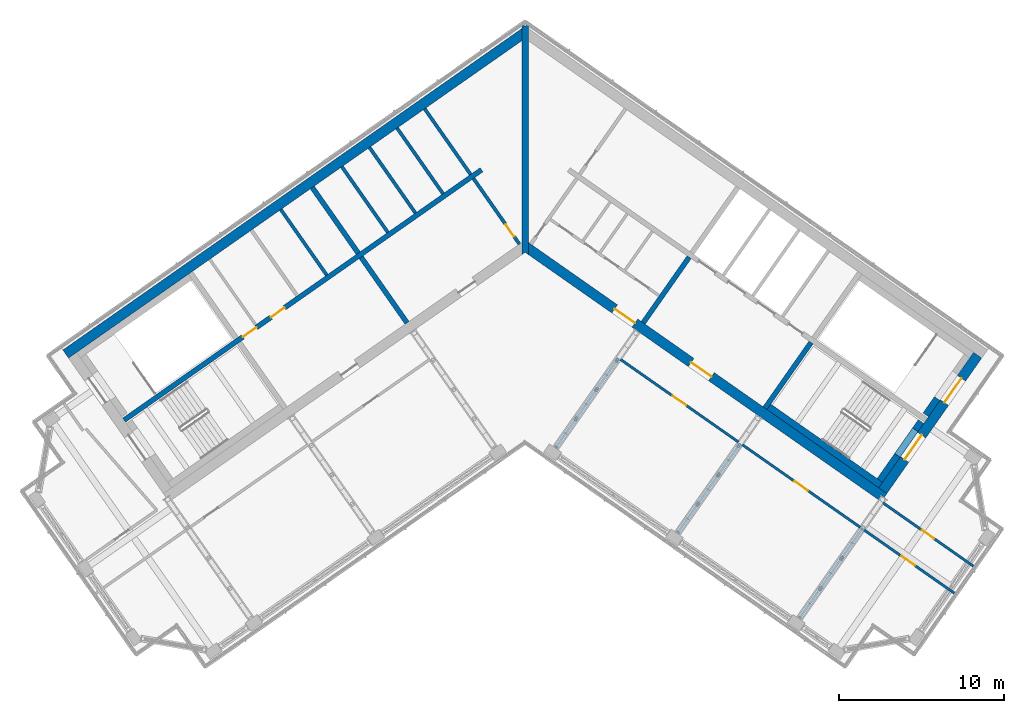
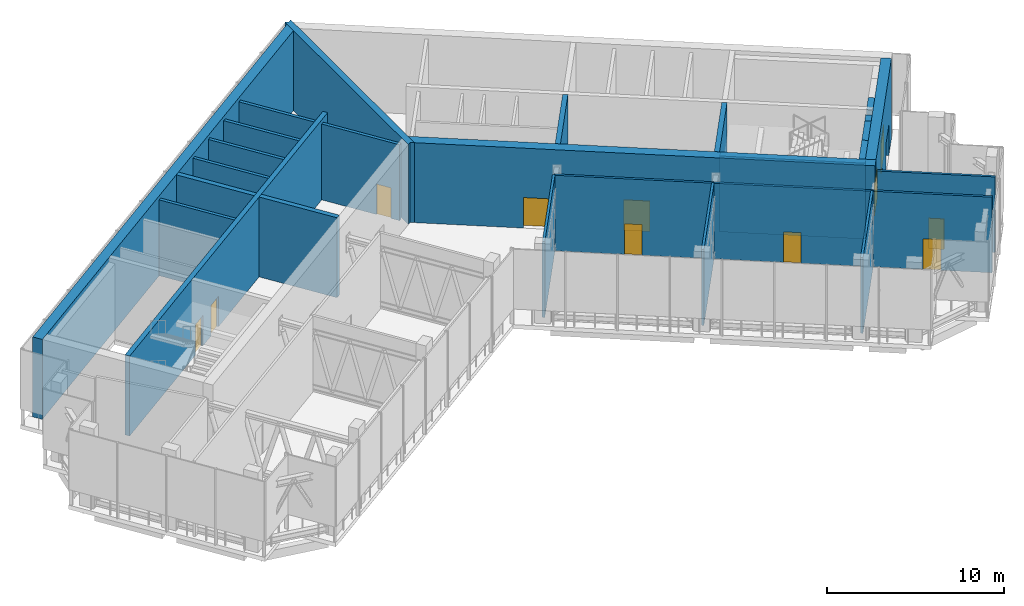
# One storey, part 4 of 16: 27 walls, 11 doors, 11 openings.
"""IFC4 building model written with IfcOpenShell, lengths in metres."""

from ifc_helpers import new_model, si_unit, direction, frame, frame_2d, origin, place, context, subcontext, project, spatial, polyline, rectangle, outline, extrude, material, layer, layer_set, type_object, element, fill, save


model = new_model("IFC4")

# Units and contexts
model_context = context("Model", 3, precision=1e-05, world=origin(), true_north=direction((0.0, 1.0)))
body_context = subcontext(model_context, "Body", "Model", "MODEL_VIEW")
ifc_project = project(units=[si_unit("LENGTHUNIT", "METRE"), si_unit("AREAUNIT", "SQUARE_METRE"), si_unit("VOLUMEUNIT", "CUBIC_METRE"), si_unit("PLANEANGLEUNIT", "RADIAN"), si_unit("MASSUNIT", "GRAM", prefix="KILO")], contexts=[model_context])

# Site, building, storey
site_placement = place(None, origin())
site = spatial("IfcSite", under=ifc_project, at=site_placement, CompositionType="ELEMENT")
building_placement = place(site_placement, origin())
building = spatial("IfcBuilding", under=site, at=building_placement, Name="Tel Ilan Convention Tower", CompositionType="ELEMENT")
storey_placement = place(building_placement, frame((0.0, 0.0, 313.300048828125)))
storey = spatial("IfcBuildingStorey", under=building, at=storey_placement, Name="L74", CompositionType="ELEMENT", Elevation=313.300048828125)

# Wall, opening, door
ifc_material_1 = material(Name="Concrete C30/37", Category="concrete")
ifc_layer_1 = layer(ifc_material_1, 0.199951171875)
ifc_layer_set_1 = layer_set([ifc_layer_1], Name="Core Service Room Wall 200 mm C30/37")
wall_type_1 = type_object("IfcWallType", Name="Core Service Room Wall 200 mm C30/37", PredefinedType="SOLIDWALL", material=ifc_layer_set_1)
wall_1_placement = place(storey_placement, frame((-0.343994140625, -0.729248046875, 0.0), z_axis=(0.0, 0.0, 1.0), x_axis=(-0.573560315113, 0.819163332265, 0.0)))
wall_1 = element("IfcWall", 1, at=wall_1_placement, inside=storey, type_object=wall_type_1, Name="L74 core wall apex-W", PredefinedType="SOLIDWALL", context=body_context, shape_type="SweptSolid", body=[
    extrude(rectangle(XDim=4.849853515625, YDim=0.199951171875, at=frame_2d((2.4248046875, 0.0))), origin(), (0.0, 0.0, 1.0), 5.219970703125),
])
opening_1_placement = place(wall_1_placement, frame((0.550048828125, 0.0, 0.0)))
opening_1 = element("IfcOpeningElement", 2, at=opening_1_placement, cuts=wall_1, Name="Opening CD5602", PredefinedType="OPENING", context=body_context, shape_type="SweptSolid", body=[
    extrude(rectangle(XDim=0.89990234375, YDim=2.10009765625, at=frame_2d((0.449951171875, 1.050048828125))), frame((0.0, 0.10986328125, 0.0), z_axis=(0.0, -1.0, 0.0), x_axis=(1.0, 0.0, 0.0)), (0.0, 0.0, 1.0), 0.219970703125),
])
ifc_material_2 = material(Name="Galvanised Steel Door Leaf", Category="steel")
door_type_1 = type_object("IfcDoorType", Name="Service Room Door 900 x 2100 FD60", OperationType="NOTDEFINED", PredefinedType="DOOR", material=ifc_material_2)
door_1_placement = place(opening_1_placement, origin())
door_1 = element("IfcDoor", 3, at=door_1_placement, inside=storey, type_object=door_type_1, Name="Riser Room door", OperationType="SINGLE_SWING_RIGHT", OverallHeight=2.10009765625, OverallWidth=0.89990234375, PredefinedType="DOOR", context=body_context, shape_type="SweptSolid", body=[
    extrude(rectangle(XDim=0.89990234375, YDim=2.10009765625, at=frame_2d((0.449951171875, 1.050048828125))), frame((0.0, 0.02490234375, 0.0), z_axis=(0.0, -1.0, 0.0), x_axis=(1.0, 0.0, 0.0)), (0.0, 0.0, 1.0), 0.050048828125),
])
fill(opening_1, door_1)

# Walls
wall_2_placement = place(storey_placement, frame((-3.2978515625, 3.489501953125, 0.0), z_axis=(0.0, 0.0, 1.0), x_axis=(-0.573560315113, 0.819163332265, 0.0)))
element("IfcWall", 4, at=wall_2_placement, inside=storey, type_object=wall_type_1, Name="L74 core wall apex-W-b", PredefinedType="SOLIDWALL", context=body_context, shape_type="SweptSolid", body=[
    extrude(rectangle(XDim=4.849853515625, YDim=0.199951171875, at=frame_2d((2.4248046875, 0.0))), origin(), (0.0, 0.0, 1.0), 5.219970703125),
])
ifc_material_3 = material(Name="Concrete C40/50", Category="concrete")
ifc_layer_2 = layer(ifc_material_3, 0.300048828125)
ifc_layer_set_2 = layer_set([ifc_layer_2], Name="Core Shear Wall 300 mm C40/50")
wall_type_2 = type_object("IfcWallType", Name="Core Shear Wall 300 mm C40/50", PredefinedType="SHEAR", material=ifc_layer_set_2)
wall_3_placement = place(storey_placement, frame((-7.142822265625, -5.48974609375, 0.0), z_axis=(0.0, 0.0, 1.0), x_axis=(-0.573617744349, 0.819123118565, 0.0)))
element("IfcWall", 5, at=wall_3_placement, inside=storey, type_object=wall_type_2, Name="L74 core wall W-cross1-1", PredefinedType="SHEAR", context=body_context, shape_type="SweptSolid", body=[
    extrude(outline(polyline([(4.85009765625, 0.14990234375), (0.0, 0.150146484375), (0.0, -0.14990234375), (4.85009765625, -0.150146484375), (4.85009765625, 0.14990234375)])), origin(), (0.0, 0.0, 1.0), 5.5),
])
wall_4_placement = place(storey_placement, frame((-10.096923828125, -1.271240234375, 0.0), z_axis=(0.0, 0.0, 1.0), x_axis=(-0.573560315113, 0.819163332265, 0.0)))
element("IfcWall", 6, at=wall_4_placement, inside=storey, type_object=wall_type_2, Name="L74 core wall W-cross1-2", PredefinedType="SHEAR", context=body_context, shape_type="SweptSolid", body=[
    extrude(outline(polyline([(4.849853515625, -0.14990234375), (4.849853515625, 0.150146484375), (0.0, 0.14990234375), (0.0, -0.150146484375), (4.849853515625, -0.14990234375)])), origin(), (0.0, 0.0, 1.0), 5.5),
])

# Wall, openings, doors
wall_5_placement = place(storey_placement, frame((-2.638427734375, 3.76806640625, 0.0), z_axis=(0.0, 0.0, 1.0), x_axis=(-0.819155014212, -0.573572194837, 0.0)))
wall_5 = element("IfcWall", 7, at=wall_5_placement, inside=storey, type_object=wall_type_2, Name="L74 core wall W-spine", PredefinedType="SHEAR", context=body_context, shape_type="SweptSolid", body=[
    extrude(outline(polyline([(26.39990234375, 0.150146484375), (0.0, 0.14990234375), (0.0, -0.150146484375), (26.39990234375, -0.14990234375), (26.39990234375, 0.150146484375)])), origin(), (0.0, 0.0, 1.0), 5.5),
])
opening_2_placement = place(wall_5_placement, frame((14.552490234375, 0.0, 0.0)))
opening_2 = element("IfcOpeningElement", 8, at=opening_2_placement, cuts=wall_5, Name="Opening CD5609", PredefinedType="OPENING", context=body_context, shape_type="SweptSolid", body=[
    extrude(rectangle(XDim=1.0, YDim=2.10009765625, at=frame_2d((0.5, 1.050048828125))), frame((0.0, 0.159912109375, 0.0), z_axis=(0.0, -1.0, 0.0), x_axis=(1.0, 0.0, 0.0)), (0.0, 0.0, 1.0), 0.320068359375),
])
opening_3_placement = place(wall_5_placement, frame((16.62744140625, 0.0, 0.0)))
opening_3 = element("IfcOpeningElement", 9, at=opening_3_placement, cuts=wall_5, Name="Opening CD5610", PredefinedType="OPENING", context=body_context, shape_type="SweptSolid", body=[
    extrude(rectangle(XDim=1.0, YDim=2.10009765625, at=frame_2d((0.5, 1.050048828125))), frame((0.0, 0.159912109375, 0.0), z_axis=(0.0, -1.0, 0.0), x_axis=(1.0, 0.0, 0.0)), (0.0, 0.0, 1.0), 0.320068359375),
])
ifc_material_4 = material(Name="Galvanised Steel Door Leaf", Category="steel")
door_type_2 = type_object("IfcDoorType", Name="Service Room Door 1000 x 2100 FD60", OperationType="NOTDEFINED", PredefinedType="DOOR", material=ifc_material_4)
door_2_placement = place(opening_2_placement, origin())
door_2 = element("IfcDoor", 10, at=door_2_placement, inside=storey, type_object=door_type_2, Name="Plant Room door", OperationType="SINGLE_SWING_RIGHT", OverallHeight=2.10009765625, OverallWidth=1.0, PredefinedType="DOOR", context=body_context, shape_type="SweptSolid", body=[
    extrude(rectangle(XDim=1.0, YDim=2.10009765625, at=frame_2d((0.5, 1.050048828125))), frame((0.0, 0.02490234375, 0.0), z_axis=(0.0, -1.0, 0.0), x_axis=(1.0, 0.0, 0.0)), (0.0, 0.0, 1.0), 0.050048828125),
])
fill(opening_2, door_2)
door_3_placement = place(opening_3_placement, origin())
door_3 = element("IfcDoor", 11, at=door_3_placement, inside=storey, type_object=door_type_2, Name="Plant Room door", OperationType="SINGLE_SWING_RIGHT", OverallHeight=2.10009765625, OverallWidth=1.0, PredefinedType="DOOR", context=body_context, shape_type="SweptSolid", body=[
    extrude(rectangle(XDim=1.0, YDim=2.10009765625, at=frame_2d((0.5, 1.050048828125))), frame((0.0, 0.02490234375, 0.0), z_axis=(0.0, -1.0, 0.0), x_axis=(1.0, 0.0, 0.0)), (0.0, 0.0, 1.0), 0.050048828125),
])
fill(opening_3, door_3)

# Walls
wall_6_placement = place(storey_placement, frame((7.142822265625, -5.48974609375, 0.0), z_axis=(0.0, 0.0, 1.0), x_axis=(0.573617744349, 0.819123118565, 0.0)))
element("IfcWall", 12, at=wall_6_placement, inside=storey, type_object=wall_type_2, Name="L74 core wall E-cross1-1", PredefinedType="SHEAR", context=body_context, shape_type="SweptSolid", body=[
    extrude(outline(polyline([(0.0, 0.14990234375), (0.0, -0.150146484375), (4.85009765625, -0.14990234375), (4.85009765625, 0.150146484375), (0.0, 0.14990234375)])), origin(), (0.0, 0.0, 1.0), 5.5),
])
wall_7_placement = place(storey_placement, frame((14.515380859375, -10.652099609375, 0.0), z_axis=(0.0, 0.0, 1.0), x_axis=(0.573560315113, 0.819163332265, 0.0)))
element("IfcWall", 13, at=wall_7_placement, inside=storey, type_object=wall_type_2, Name="L74 core wall E-cross2-1", PredefinedType="SHEAR", context=body_context, shape_type="SweptSolid", body=[
    extrude(outline(polyline([(0.0, 0.150146484375), (0.0, -0.14990234375), (4.85009765625, -0.14990234375), (4.85009765625, 0.14990234375), (0.0, 0.150146484375)])), origin(), (0.0, 0.0, 1.0), 5.5),
])
ifc_material_5 = material(Name="Concrete C40/50", Category="concrete")
ifc_layer_3 = layer(ifc_material_5, 0.39990234375)
ifc_layer_set_3 = layer_set([ifc_layer_3], Name="Core Shear Wall 400 mm C40/50")
wall_type_3 = type_object("IfcWallType", Name="Core Shear Wall 400 mm C40/50", PredefinedType="SHEAR", material=ifc_layer_set_3)
wall_8_placement = place(storey_placement, frame((0.0, -1.36083984375, 0.0), z_axis=(0.0, 0.0, 1.0), x_axis=(0.0, 1.0, 0.0)))
element("IfcWall", 14, at=wall_8_placement, inside=storey, type_object=wall_type_3, Name="L74 core wall K-central", PredefinedType="SHEAR", context=body_context, shape_type="SweptSolid", body=[
    extrude(outline(polyline([(0.14013671875, 0.199951171875), (0.0, 0.199951171875), (0.14013671875, 0.0), (0.0, -0.199951171875), (0.14013671875, -0.199951171875), (1.012451171875, -0.199951171875), (12.940185546875, -0.199951171875), (13.812744140625, -0.199951171875), (13.893310546875, -0.199951171875), (13.933349609375, -0.172119140625), (13.812744140625, 0.0), (13.933349609375, 0.172119140625), (13.893310546875, 0.199951171875), (13.812744140625, 0.199951171875), (12.940185546875, 0.199951171875), (1.012451171875, 0.199951171875), (0.14013671875, 0.199951171875)])), origin(), (0.0, 0.0, 1.0), 5.5),
])
ifc_material_6 = material(Name="Concrete C40/50", Category="concrete")
ifc_layer_4 = layer(ifc_material_6, 0.60009765625)
ifc_layer_set_4 = layer_set([ifc_layer_4], Name="Core Shear Wall 600 mm C40/50")
wall_type_4 = type_object("IfcWallType", Name="Core Shear Wall 600 mm C40/50", PredefinedType="SHEAR", material=ifc_layer_set_4)
wall_9_placement = place(storey_placement, frame((-0.02783203125, 12.066162109375, 0.0), z_axis=(0.0, 0.0, 1.0), x_axis=(-0.819151382952, -0.573577380837, 0.0)))
element("IfcWall", 15, at=wall_9_placement, inside=storey, type_object=wall_type_4, Name="L74 core wall W-back", PredefinedType="SHEAR", context=body_context, shape_type="SweptSolid", body=[
    extrude(outline(polyline([(33.89794921875, 0.300048828125), (0.420166015625, 0.300048828125), (0.0, -0.300048828125), (33.898193359375, -0.300048828125), (33.89794921875, 0.300048828125)])), origin(), (0.0, 0.0, 1.0), 5.5),
])

# Wall, openings, doors
wall_10_placement = place(storey_placement, frame((0.02783203125, -0.8740234375, 0.0), z_axis=(0.0, 0.0, 1.0), x_axis=(0.819150035022, -0.573579305871, 0.0)))
wall_10 = element("IfcWall", 16, at=wall_10_placement, inside=storey, type_object=wall_type_4, Name="L74 core wall E-front", PredefinedType="SHEAR", context=body_context, shape_type="SweptSolid", body=[
    extrude(outline(polyline([(26.475830078125, 0.300048828125), (0.000244140625, 0.300048828125), (0.420166015625, -0.300048828125), (26.475830078125, -0.2998046875), (26.475830078125, 0.300048828125)])), origin(), (0.0, 0.0, 1.0), 5.5),
])
opening_4_placement = place(wall_10_placement, frame((6.57568359375, 0.0, 0.0)))
opening_4 = element("IfcOpeningElement", 17, at=opening_4_placement, cuts=wall_10, Name="Opening CD5604", PredefinedType="OPENING", context=body_context, shape_type="SweptSolid", body=[
    extrude(rectangle(XDim=1.5, YDim=2.10009765625, at=frame_2d((0.75, 1.050048828125))), frame((0.0, 0.31005859375, 0.0), z_axis=(0.0, -1.0, 0.0), x_axis=(1.0, 0.0, 0.0)), (0.0, 0.0, 1.0), 0.6201171875),
])
opening_5_placement = place(wall_10_placement, frame((12.225830078125, 0.0, 0.0)))
opening_5 = element("IfcOpeningElement", 18, at=opening_5_placement, cuts=wall_10, Name="Opening CD5605", PredefinedType="OPENING", context=body_context, shape_type="SweptSolid", body=[
    extrude(rectangle(XDim=1.5, YDim=2.10009765625, at=frame_2d((0.75, 1.050048828125))), frame((0.0, 0.31005859375, 0.0), z_axis=(0.0, -1.0, 0.0), x_axis=(1.0, 0.0, 0.0)), (0.0, 0.0, 1.0), 0.6201171875),
])
ifc_material_7 = material(Name="Glazed Aluminium Door Leaf", Category="aluminium")
door_type_3 = type_object("IfcDoorType", Name="Lobby Opening Door 1500 x 2100 FD60S", OperationType="NOTDEFINED", PredefinedType="DOOR", material=ifc_material_7)
door_4_placement = place(opening_5_placement, origin())
door_4 = element("IfcDoor", 19, at=door_4_placement, inside=storey, type_object=door_type_3, Name="Firefighting Lobby door", OperationType="DOUBLE_DOOR_SINGLE_SWING", OverallHeight=2.10009765625, OverallWidth=1.5, PredefinedType="DOOR", context=body_context, shape_type="SweptSolid", body=[
    extrude(rectangle(XDim=1.5, YDim=2.10009765625, at=frame_2d((0.75, 1.050048828125))), frame((0.0, 0.02490234375, 0.0), z_axis=(0.0, -1.0, 0.0), x_axis=(1.0, 0.0, 0.0)), (0.0, 0.0, 1.0), 0.050048828125),
])
fill(opening_5, door_4)
ifc_material_8 = material(Name="Laminated Timber Door Leaf", Category="wood")
door_type_4 = type_object("IfcDoorType", Name="Toilet Door 1500 x 2100 FD30S", OperationType="NOTDEFINED", PredefinedType="DOOR", material=ifc_material_8)
door_5_placement = place(opening_4_placement, origin())
door_5 = element("IfcDoor", 20, at=door_5_placement, inside=storey, type_object=door_type_4, Name="WC Lobby door", OperationType="SINGLE_SWING_RIGHT", OverallHeight=2.10009765625, OverallWidth=1.5, PredefinedType="DOOR", context=body_context, shape_type="SweptSolid", body=[
    extrude(rectangle(XDim=1.5, YDim=2.10009765625, at=frame_2d((0.75, 1.050048828125))), frame((0.0, 0.02490234375, 0.0), z_axis=(0.0, -1.0, 0.0), x_axis=(1.0, 0.0, 0.0)), (0.0, 0.0, 1.0), 0.050048828125),
])
fill(opening_4, door_5)

wall_11_placement = place(storey_placement, frame((21.641845703125, -15.64208984375, 0.0), z_axis=(0.0, 0.0, 1.0), x_axis=(0.573586866468, 0.819144740944, 0.0)))
wall_11 = element("IfcWall", 21, at=wall_11_placement, inside=storey, type_object=wall_type_4, Name="L74 core wall E-end", PredefinedType="SHEAR", context=body_context, shape_type="SweptSolid", body=[
    extrude(outline(polyline([(10.0, 0.300048828125), (0.0, 0.2998046875), (0.0, -0.300048828125), (10.0, -0.300048828125), (10.0, 0.300048828125)])), origin(), (0.0, 0.0, 1.0), 5.5),
])
opening_6_placement = place(wall_11_placement, frame((6.5, 0.0, 0.0)))
opening_6 = element("IfcOpeningElement", 22, at=opening_6_placement, cuts=wall_11, Name="Opening SD5603", PredefinedType="OPENING", context=body_context, shape_type="SweptSolid", body=[
    extrude(rectangle(XDim=1.800048828125, YDim=2.10009765625, at=frame_2d((0.89990234375, 1.050048828125))), frame((0.0, 0.31005859375, 0.0), z_axis=(0.0, -1.0, 0.0), x_axis=(1.0, 0.0, 0.0)), (0.0, 0.0, 1.0), 0.6201171875),
])
opening_7_placement = place(wall_11_placement, frame((2.300048828125, 0.0, 0.0)))
opening_7 = element("IfcOpeningElement", 23, at=opening_7_placement, cuts=wall_11, Name="Opening SD5604", PredefinedType="OPENING", context=body_context, shape_type="SweptSolid", body=[
    extrude(rectangle(XDim=1.800048828125, YDim=2.10009765625, at=frame_2d((0.89990234375, 1.050048828125))), frame((0.0, 0.31005859375, 0.0), z_axis=(0.0, -1.0, 0.0), x_axis=(1.0, 0.0, 0.0)), (0.0, 0.0, 1.0), 0.6201171875),
])
ifc_material_9 = material(Name="Galvanised Steel Door Leaf", Category="steel")
door_type_5 = type_object("IfcDoorType", Name="Stair Fire Door 1800 x 2100 FD60S", OperationType="NOTDEFINED", PredefinedType="DOOR", material=ifc_material_9)
door_6_placement = place(opening_6_placement, origin())
door_6 = element("IfcDoor", 24, at=door_6_placement, inside=storey, type_object=door_type_5, Name="Stair S3 door", OperationType="DOUBLE_DOOR_SINGLE_SWING", OverallHeight=2.10009765625, OverallWidth=1.800048828125, PredefinedType="DOOR", context=body_context, shape_type="SweptSolid", body=[
    extrude(rectangle(XDim=1.800048828125, YDim=2.10009765625, at=frame_2d((0.89990234375, 1.050048828125))), frame((0.0, 0.02490234375, 0.0), z_axis=(0.0, -1.0, 0.0), x_axis=(1.0, 0.0, 0.0)), (0.0, 0.0, 1.0), 0.050048828125),
])
fill(opening_6, door_6)
door_7_placement = place(opening_7_placement, origin())
door_7 = element("IfcDoor", 25, at=door_7_placement, inside=storey, type_object=door_type_5, Name="Stair S4 door", OperationType="DOUBLE_DOOR_SINGLE_SWING", OverallHeight=2.10009765625, OverallWidth=1.800048828125, PredefinedType="DOOR", context=body_context, shape_type="SweptSolid", body=[
    extrude(rectangle(XDim=1.800048828125, YDim=2.10009765625, at=frame_2d((0.89990234375, 1.050048828125))), frame((0.0, 0.02490234375, 0.0), z_axis=(0.0, -1.0, 0.0), x_axis=(1.0, 0.0, 0.0)), (0.0, 0.0, 1.0), 0.050048828125),
])
fill(opening_7, door_7)

# Wall, opening, door
ifc_material_10 = material(Name="Plasterboard on Steel Studs", Category="steel")
ifc_layer_5 = layer(ifc_material_10, 0.14990234375)
ifc_layer_set_5 = layer_set([ifc_layer_5], Name="Fire-rated Partition 150 EI 60")
wall_type_5 = type_object("IfcWallType", Name="Fire-rated Partition 150 EI 60", PredefinedType="PARTITIONING", material=ifc_layer_set_5)
wall_12_placement = place(storey_placement, frame((21.641845703125, -16.37451171875, 0.0), z_axis=(0.0, 0.0, 1.0), x_axis=(0.819147777977, -0.573582529227, 0.0)))
wall_12 = element("IfcWall", 26, at=wall_12_placement, inside=storey, type_object=wall_type_5, Name="Partition 001", PredefinedType="PARTITIONING", context=body_context, shape_type="SweptSolid", body=[
    extrude(rectangle(XDim=6.679931640625, YDim=0.14990234375, at=frame_2d((3.33984375, 0.0))), origin(), (0.0, 0.0, 1.0), 5.199951171875),
])
opening_8_placement = place(wall_12_placement, frame((2.889892578125, 0.0, 0.0)))
opening_8 = element("IfcOpeningElement", 27, at=opening_8_placement, cuts=wall_12, Name="Opening L74-007", PredefinedType="OPENING", context=body_context, shape_type="SweptSolid", body=[
    extrude(rectangle(XDim=0.89990234375, YDim=2.10009765625, at=frame_2d((0.449951171875, 1.050048828125))), frame((0.0, 0.0849609375, 0.0), z_axis=(0.0, -1.0, 0.0), x_axis=(1.0, 0.0, 0.0)), (0.0, 0.0, 1.0), 0.169921875),
])
ifc_material_11 = material(Name="Timber Door Leaf in Steel Frame", Category="steel")
door_type_6 = type_object("IfcDoorType", Name="Room Fire Door 900x2100", OperationType="NOTDEFINED", PredefinedType="DOOR", material=ifc_material_11)
door_8_placement = place(opening_8_placement, origin())
door_8 = element("IfcDoor", 28, at=door_8_placement, inside=storey, type_object=door_type_6, Name="Door L74-007", OperationType="SINGLE_SWING_RIGHT", OverallHeight=2.10009765625, OverallWidth=0.89990234375, PredefinedType="DOOR", context=body_context, shape_type="SweptSolid", body=[
    extrude(rectangle(XDim=0.89990234375, YDim=2.10009765625, at=frame_2d((0.449951171875, 1.050048828125))), frame((0.0, 0.02490234375, 0.0), z_axis=(0.0, -1.0, 0.0), x_axis=(1.0, 0.0, 0.0)), (0.0, 0.0, 1.0), 0.050048828125),
])
fill(opening_8, door_8)

wall_13_placement = place(storey_placement, frame((13.025634765625, -12.782958984375, 0.0), z_axis=(0.0, 0.0, 1.0), x_axis=(-0.81915291695, 0.57357519006, 0.0)))
wall_13 = element("IfcWall", 29, at=wall_13_placement, inside=storey, type_object=wall_type_5, Name="Partition 002", PredefinedType="PARTITIONING", context=body_context, shape_type="SweptSolid", body=[
    extrude(rectangle(XDim=9.001953125, YDim=0.14990234375, at=frame_2d((4.5009765625, 0.0))), origin(), (0.0, 0.0, 1.0), 5.199951171875),
])
opening_9_placement = place(wall_13_placement, frame((4.0009765625, 0.0, 0.0)))
opening_9 = element("IfcOpeningElement", 30, at=opening_9_placement, cuts=wall_13, Name="Opening L74-004", PredefinedType="OPENING", context=body_context, shape_type="SweptSolid", body=[
    extrude(rectangle(XDim=1.0, YDim=2.10009765625, at=frame_2d((0.5, 1.050048828125))), frame((0.0, 0.0849609375, 0.0), z_axis=(0.0, -1.0, 0.0), x_axis=(1.0, 0.0, 0.0)), (0.0, 0.0, 1.0), 0.169921875),
])
ifc_material_12 = material(Name="Timber Door Leaf in Steel Frame", Category="steel")
door_type_7 = type_object("IfcDoorType", Name="Plant Room Fire Door 1000x2100", OperationType="NOTDEFINED", PredefinedType="DOOR", material=ifc_material_12)
door_9_placement = place(opening_9_placement, origin())
door_9 = element("IfcDoor", 31, at=door_9_placement, inside=storey, type_object=door_type_7, Name="Door L74-004", OperationType="SINGLE_SWING_LEFT", OverallHeight=2.10009765625, OverallWidth=1.0, PredefinedType="DOOR", context=body_context, shape_type="SweptSolid", body=[
    extrude(rectangle(XDim=1.0, YDim=2.10009765625, at=frame_2d((0.5, 1.050048828125))), frame((0.0, 0.02490234375, 0.0), z_axis=(0.0, -1.0, 0.0), x_axis=(1.0, 0.0, 0.0)), (0.0, 0.0, 1.0), 0.050048828125),
])
fill(opening_9, door_9)

wall_14_placement = place(storey_placement, frame((20.39794921875, -17.9453125, 0.0), z_axis=(0.0, 0.0, 1.0), x_axis=(-0.819142740634, 0.573589723117, 0.0)))
wall_14 = element("IfcWall", 32, at=wall_14_placement, inside=storey, type_object=wall_type_5, Name="Partition 003", PredefinedType="PARTITIONING", context=body_context, shape_type="SweptSolid", body=[
    extrude(rectangle(XDim=9.00390625, YDim=0.14990234375, at=frame_2d((4.501953125, 0.0))), origin(), (0.0, 0.0, 1.0), 5.199951171875),
])
opening_10_placement = place(wall_14_placement, frame((4.001953125, 0.0, 0.0)))
opening_10 = element("IfcOpeningElement", 33, at=opening_10_placement, cuts=wall_14, Name="Opening L74-005", PredefinedType="OPENING", context=body_context, shape_type="SweptSolid", body=[
    extrude(rectangle(XDim=1.0, YDim=2.10009765625, at=frame_2d((0.5, 1.050048828125))), frame((0.0, 0.0849609375, 0.0), z_axis=(0.0, -1.0, 0.0), x_axis=(1.0, 0.0, 0.0)), (0.0, 0.0, 1.0), 0.169921875),
])
door_10_placement = place(opening_10_placement, origin())
door_10 = element("IfcDoor", 34, at=door_10_placement, inside=storey, type_object=door_type_7, Name="Door L74-005", OperationType="SINGLE_SWING_RIGHT", OverallHeight=2.10009765625, OverallWidth=1.0, PredefinedType="DOOR", context=body_context, shape_type="SweptSolid", body=[
    extrude(rectangle(XDim=1.0, YDim=2.10009765625, at=frame_2d((0.5, 1.050048828125))), frame((0.0, 0.02490234375, 0.0), z_axis=(0.0, -1.0, 0.0), x_axis=(1.0, 0.0, 0.0)), (0.0, 0.0, 1.0), 0.050048828125),
])
fill(opening_10, door_10)

wall_15_placement = place(storey_placement, frame((25.966552734375, -21.84423828125, 0.0), z_axis=(0.0, 0.0, 1.0), x_axis=(-0.819154345195, 0.573573150303, 0.0)))
wall_15 = element("IfcWall", 35, at=wall_15_placement, inside=storey, type_object=wall_type_5, Name="Partition 004", PredefinedType="PARTITIONING", context=body_context, shape_type="SweptSolid", body=[
    extrude(rectangle(XDim=6.8017578125, YDim=0.14990234375, at=frame_2d((3.40087890625, 0.0))), origin(), (0.0, 0.0, 1.0), 5.199951171875),
])
opening_11_placement = place(wall_15_placement, frame((2.90087890625, 0.0, 0.0)))
opening_11 = element("IfcOpeningElement", 36, at=opening_11_placement, cuts=wall_15, Name="Opening L74-006", PredefinedType="OPENING", context=body_context, shape_type="SweptSolid", body=[
    extrude(rectangle(XDim=1.0, YDim=2.10009765625, at=frame_2d((0.5, 1.050048828125))), frame((0.0, 0.0849609375, 0.0), z_axis=(0.0, -1.0, 0.0), x_axis=(1.0, 0.0, 0.0)), (0.0, 0.0, 1.0), 0.169921875),
])
door_11_placement = place(opening_11_placement, origin())
door_11 = element("IfcDoor", 37, at=door_11_placement, inside=storey, type_object=door_type_7, Name="Door L74-006", OperationType="SINGLE_SWING_RIGHT", OverallHeight=2.10009765625, OverallWidth=1.0, PredefinedType="DOOR", context=body_context, shape_type="SweptSolid", body=[
    extrude(rectangle(XDim=1.0, YDim=2.10009765625, at=frame_2d((0.5, 1.050048828125))), frame((0.0, 0.02490234375, 0.0), z_axis=(0.0, -1.0, 0.0), x_axis=(1.0, 0.0, 0.0)), (0.0, 0.0, 1.0), 0.050048828125),
])
fill(opening_11, door_11)

# Walls
wall_16_placement = place(storey_placement, frame((13.02392578125, -12.78173828125, 0.0), z_axis=(0.0, 0.0, 1.0), x_axis=(-0.573556251799, -0.819166177294, 0.0)))
element("IfcWall", 38, at=wall_16_placement, inside=storey, type_object=wall_type_5, Name="Partition 008", PredefinedType="PARTITIONING", context=body_context, shape_type="SweptSolid", body=[
    extrude(rectangle(XDim=6.630126953125, YDim=0.14990234375, at=frame_2d((3.31494140625, 0.0))), origin(), (0.0, 0.0, 1.0), 5.199951171875),
])
wall_17_placement = place(storey_placement, frame((1.848876953125, -13.050537109375, 0.0), z_axis=(0.0, 0.0, 1.0), x_axis=(0.57357355307, 0.819154063177, 0.0)))
element("IfcWall", 39, at=wall_17_placement, inside=storey, type_object=wall_type_5, Name="Partition 009", PredefinedType="PARTITIONING", context=body_context, shape_type="SweptSolid", body=[
    extrude(rectangle(XDim=6.6298828125, YDim=0.14990234375, at=frame_2d((3.31494140625, 0.0))), origin(), (0.0, 0.0, 1.0), 5.199951171875),
])
wall_18_placement = place(storey_placement, frame((20.396484375, -17.944091796875, 0.0), z_axis=(0.0, 0.0, 1.0), x_axis=(-0.57359826181, -0.819136761505, 0.0)))
element("IfcWall", 40, at=wall_18_placement, inside=storey, type_object=wall_type_5, Name="Partition 010", PredefinedType="PARTITIONING", context=body_context, shape_type="SweptSolid", body=[
    extrude(rectangle(XDim=6.630126953125, YDim=0.14990234375, at=frame_2d((3.31494140625, 0.0))), origin(), (0.0, 0.0, 1.0), 5.199951171875),
])
ifc_material_13 = material(Name="Concrete C30/37", Category="concrete")
ifc_layer_6 = layer(ifc_material_13, 0.199951171875)
ifc_layer_set_6 = layer_set([ifc_layer_6], Name="Lift Shaft Wall 200 mm C30/37")
wall_type_6 = type_object("IfcWallType", Name="Lift Shaft Wall 200 mm C30/37", PredefinedType="SOLIDWALL", material=ifc_layer_set_6)
wall_19_placement = place(storey_placement, frame((-4.966796875, 2.32080078125, 0.0), z_axis=(0.0, 0.0, 1.0), x_axis=(-0.573594092424, 0.81913968109, 0.0)))
element("IfcWall", 41, at=wall_19_placement, inside=storey, type_object=wall_type_6, Name="L74 core wall bank-W1-p0", PredefinedType="SOLIDWALL", context=body_context, shape_type="SweptSolid", body=[
    extrude(rectangle(XDim=4.85009765625, YDim=0.199951171875, at=frame_2d((2.425048828125, 0.0))), origin(), (0.0, 0.0, 1.0), 5.219970703125),
])
wall_20_placement = place(storey_placement, frame((-6.635986328125, 1.152099609375, 0.0), z_axis=(0.0, 0.0, 1.0), x_axis=(-0.573560315113, 0.819163332265, 0.0)))
element("IfcWall", 42, at=wall_20_placement, inside=storey, type_object=wall_type_6, Name="L74 core wall bank-W1-p1", PredefinedType="SOLIDWALL", context=body_context, shape_type="SweptSolid", body=[
    extrude(rectangle(XDim=4.849853515625, YDim=0.199951171875, at=frame_2d((2.4248046875, 0.0))), origin(), (0.0, 0.0, 1.0), 5.219970703125),
])
wall_21_placement = place(storey_placement, frame((-8.304931640625, -0.0166015625, 0.0), z_axis=(0.0, 0.0, 1.0), x_axis=(-0.573594092424, 0.81913968109, 0.0)))
element("IfcWall", 43, at=wall_21_placement, inside=storey, type_object=wall_type_6, Name="L74 core wall bank-W1-p2", PredefinedType="SOLIDWALL", context=body_context, shape_type="SweptSolid", body=[
    extrude(rectangle(XDim=4.85009765625, YDim=0.199951171875, at=frame_2d((2.425048828125, 0.0))), origin(), (0.0, 0.0, 1.0), 5.219970703125),
])
wall_22_placement = place(storey_placement, frame((-12.00146484375, -2.604736328125, 0.0), z_axis=(0.0, 0.0, 1.0), x_axis=(-0.573560315113, 0.819163332265, 0.0)))
element("IfcWall", 44, at=wall_22_placement, inside=storey, type_object=wall_type_6, Name="L74 core wall bank-W2-p0", PredefinedType="SOLIDWALL", context=body_context, shape_type="SweptSolid", body=[
    extrude(rectangle(XDim=4.849853515625, YDim=0.199951171875, at=frame_2d((2.4248046875, 0.0))), origin(), (0.0, 0.0, 1.0), 5.219970703125),
])
ifc_material_14 = material(Name="Concrete C30/37", Category="concrete")
ifc_layer_7 = layer(ifc_material_14, 0.39990234375)
ifc_layer_set_7 = layer_set([ifc_layer_7], Name="Stair and Shaft Lining Wall 400 mm C30/37")
wall_type_7 = type_object("IfcWallType", Name="Stair and Shaft Lining Wall 400 mm C30/37", PredefinedType="SOLIDWALL", material=ifc_layer_set_7)
wall_23_placement = place(storey_placement, frame((24.24365234375, -11.0546875, 0.0), z_axis=(0.0, 0.0, 1.0), x_axis=(0.573571582932, 0.819155442668, 0.0)))
element("IfcWall", 45, at=wall_23_placement, inside=storey, type_object=wall_type_7, Name="L74 core wall lining-S3-u1-0", PredefinedType="SOLIDWALL", context=body_context, shape_type="SweptSolid", body=[
    extrude(rectangle(XDim=1.199951171875, YDim=0.39990234375, at=frame_2d((0.60009765625, 0.0))), origin(), (0.0, 0.0, 1.0), 5.219970703125),
])
wall_24_placement = place(storey_placement, frame((14.7529296875, -10.57421875, 0.0), z_axis=(0.0, 0.0, 1.0), x_axis=(0.819158229677, -0.573567602601, 0.0)))
element("IfcWall", 46, at=wall_24_placement, inside=storey, type_object=wall_type_7, Name="L74 core wall lining-S4-t0", PredefinedType="SOLIDWALL", context=body_context, shape_type="SweptSolid", body=[
    extrude(rectangle(XDim=8.25, YDim=0.39990234375, at=frame_2d((4.125, 0.0))), origin(), (0.0, 0.0, 1.0), 5.219970703125),
])
wall_25_placement = place(storey_placement, frame((21.4619140625, -15.027587890625, 0.0), z_axis=(0.0, 0.0, 1.0), x_axis=(0.573559770908, 0.819163713305, 0.0)))
element("IfcWall", 47, at=wall_25_placement, inside=storey, type_object=wall_type_7, Name="L74 core wall lining-S4-u1-0", PredefinedType="SOLIDWALL", context=body_context, shape_type="SweptSolid", body=[
    extrude(rectangle(XDim=1.849853515625, YDim=0.39990234375, at=frame_2d((0.9248046875, 0.0))), origin(), (0.0, 0.0, 1.0), 5.219970703125),
])
wall_26_placement = place(storey_placement, frame((23.61279296875, -11.955810546875, 0.0), z_axis=(0.0, 0.0, 1.0), x_axis=(0.573435029941, 0.819251039936, 0.0)))
element("IfcWall", 48, at=wall_26_placement, inside=storey, type_object=wall_type_7, Name="L74 core wall lining-S4-u1-1", PredefinedType="SOLIDWALL", context=body_context, shape_type="SweptSolid", body=[
    extrude(rectangle(XDim=0.599853515625, YDim=0.39990234375, at=frame_2d((0.2998046875, 0.0))), origin(), (0.0, 0.0, 1.0), 5.219970703125),
])
wall_27_placement = place(storey_placement, frame((22.52294921875, -13.51220703125, 2.14990234375), z_axis=(0.0, 0.0, 1.0), x_axis=(0.573591692345, 0.819141361715, 0.0)))
element("IfcWall", 49, at=wall_27_placement, inside=storey, type_object=wall_type_7, Name="L74 core wall lining-S4-u1-lintel", PredefinedType="SOLIDWALL", context=body_context, shape_type="SweptSolid", body=[
    extrude(rectangle(XDim=1.900146484375, YDim=0.39990234375, at=frame_2d((0.9501953125, 0.0))), origin(), (0.0, 0.0, 1.0), 3.070068359375),
])

save(model, "model.ifc")
